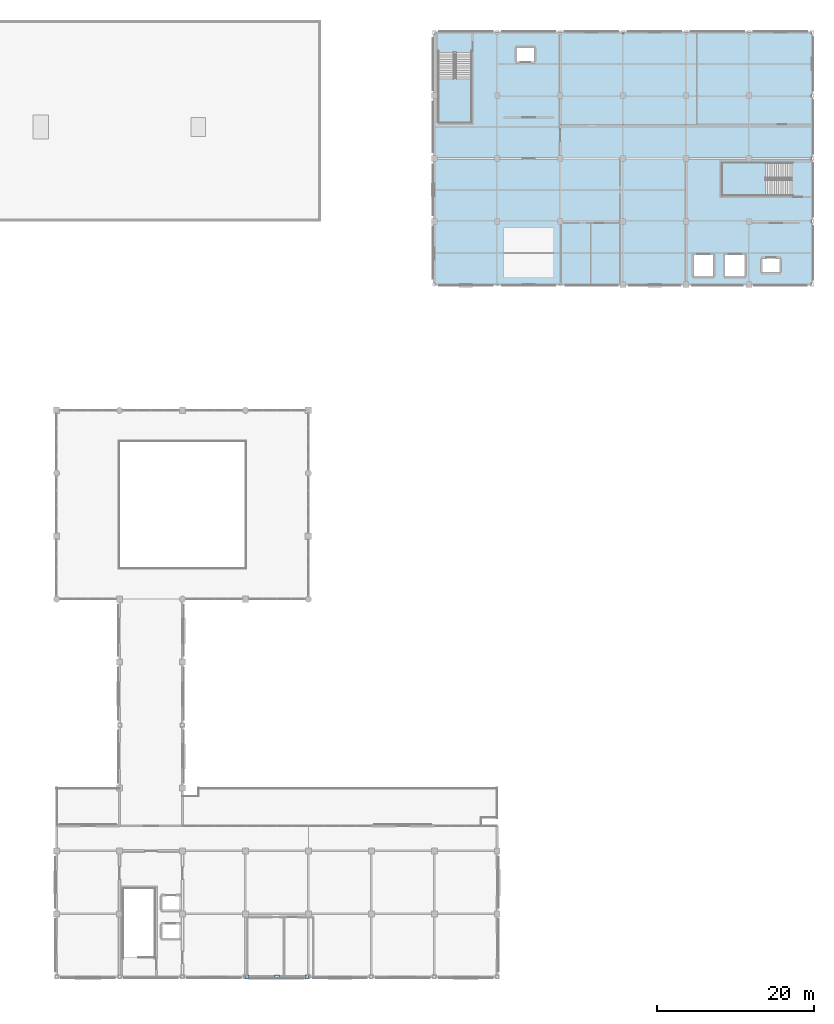
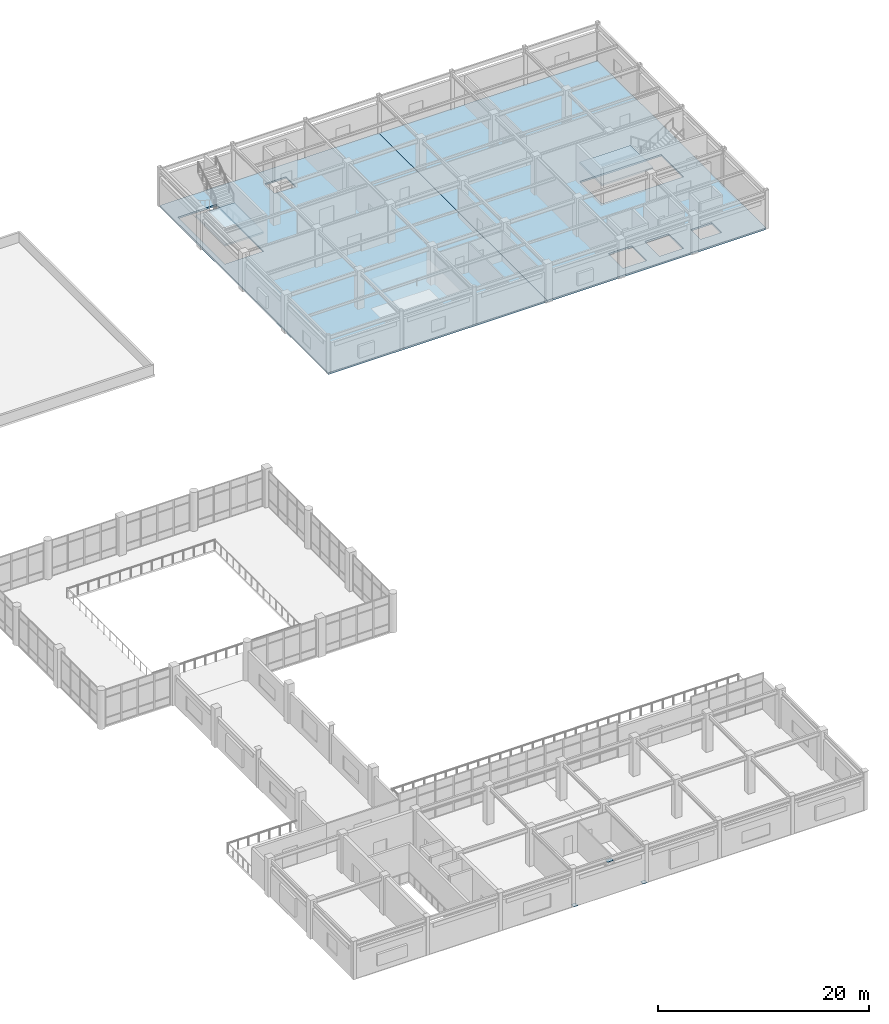
# One storey, part 30 of 42: 4 slabs, 3 plates, 2 elements without a shape of their own.
"""IFC4 building model written with IfcOpenShell, lengths in metres."""

import ifcopenshell
import ifcopenshell.guid

model = None  # the IFC model being written
_history = None  # IfcOwnerHistory: only IFC2X3 demands one
_inside = {}  # id of a spatial element -> (the spatial element, [elements in it])
_under = {}  # id of a project, library or spatial element -> (it, [spatial elements below it])
_declared = {}  # id of a project -> (the project, [libraries it declares])
_typed = {}  # id of a type object -> (the type object, [elements of that type])
_made_of = {}  # id of a material, layer set ... -> (it, [elements and type objects made of it])


def new_model(schema):
    """Start an empty IFC model of exactly this schema.

    Asked for "IFC4X3", IfcOpenShell would pick the latest addendum, in which some entities
    have other attributes; the version numbers below select the first issue.
    IFC2X3 requires an IfcOwnerHistory on every rooted entity: one is made here for all.
    """
    global model, _history
    if schema == "IFC4X3":
        model = ifcopenshell.file(schema_version=(4, 3, 0, 0))
    else:
        model = ifcopenshell.file(schema=schema)
    _inside.clear()
    _under.clear()
    _declared.clear()
    _typed.clear()
    _made_of.clear()
    _history = None
    if model.schema == "IFC2X3":
        org = make("IfcOrganization", Name="unknown")
        user = make(
            "IfcPersonAndOrganization",
            ThePerson=make("IfcPerson", FamilyName="unknown"),
            TheOrganization=org,
        )
        app = make(
            "IfcApplication",
            ApplicationDeveloper=org,
            Version="unknown",
            ApplicationFullName="unknown",
            ApplicationIdentifier="unknown",
        )
        _history = make(
            "IfcOwnerHistory",
            OwningUser=user,
            OwningApplication=app,
            ChangeAction="ADDED",
            CreationDate=0,
        )
    return model


def make(cls, **values):
    """One entity of the class cls with the attributes given. An attribute that is None is left unset."""
    return model.create_entity(
        cls, **{name: value for name, value in values.items() if value is not None}
    )


def rooted(cls, **values):
    """An entity with a GlobalId (a new one), such as an element, a storey or a relation."""
    return make(cls, GlobalId=ifcopenshell.guid.new(), OwnerHistory=_history, **values)


def si_unit(unit_type, name, prefix=None):
    """IfcSIUnit, for example si_unit("LENGTHUNIT", "METRE", prefix="MILLI")."""
    return make("IfcSIUnit", UnitType=unit_type, Prefix=prefix, Name=name)


def assignment(units):
    """IfcUnitAssignment: the units of a project."""
    return None if units is None else make("IfcUnitAssignment", Units=units)


def point(xyz):
    """IfcCartesianPoint."""
    return None if xyz is None else make("IfcCartesianPoint", Coordinates=xyz)


def direction(xyz):
    """IfcDirection."""
    return None if xyz is None else make("IfcDirection", DirectionRatios=xyz)


def frame(location, z_axis=None, x_axis=None):
    """IfcAxis2Placement3D, a coordinate frame: its origin and axes. An axis left out is left unset."""
    return make(
        "IfcAxis2Placement3D",
        Location=point(location),
        Axis=direction(z_axis),
        RefDirection=direction(x_axis),
    )


def frame_2d(location, x_axis=None):
    """IfcAxis2Placement2D, a coordinate frame in the plane: its origin and x axis."""
    return make(
        "IfcAxis2Placement2D", Location=point(location), RefDirection=direction(x_axis)
    )


def origin():
    """The frame at (0, 0, 0) with its axes left unset."""
    return frame((0.0, 0.0, 0.0))


def origin_2d():
    """The frame at (0, 0) in the plane with its x axis left unset."""
    return frame_2d((0.0, 0.0))


def place(relative_to, where):
    """IfcLocalPlacement: puts the frame where relative to a parent placement (None: the world)."""
    return make(
        "IfcLocalPlacement", PlacementRelTo=relative_to, RelativePlacement=where
    )


def context(
    kind, dimensions, precision=None, world=None, true_north=None, identifier=None
):
    """IfcGeometricRepresentationContext, for example the 3D "Model" context."""
    return make(
        "IfcGeometricRepresentationContext",
        ContextIdentifier=identifier,
        ContextType=kind,
        CoordinateSpaceDimension=dimensions,
        Precision=precision,
        WorldCoordinateSystem=world,
        TrueNorth=true_north,
    )


def subcontext(parent, identifier, kind, view, scale=None):
    """IfcGeometricRepresentationSubContext, for example "Body" below "Model"."""
    return make(
        "IfcGeometricRepresentationSubContext",
        ContextIdentifier=identifier,
        ContextType=kind,
        ParentContext=parent,
        TargetScale=scale,
        TargetView=view,
    )


def project(units=None, contexts=None):
    """IfcProject with its units and contexts."""
    return rooted(
        "IfcProject",
        Name="project",
        RepresentationContexts=contexts,
        UnitsInContext=assignment(units),
    )


def spatial(cls, under=None, at=None, **own):
    """A site, building, storey or space (cls), placed at a placement, below another one or the project."""
    s = rooted(cls, ObjectPlacement=at, **own)
    if under is not None:
        _under.setdefault(under.id(), (under, []))[1].append(s)
    return s


def polyline(points):
    """IfcPolyline through the points."""
    return make("IfcPolyline", Points=[point(p) for p in points])


def profile(cls, at=None, kind="AREA", **sizes):
    """A parametric profile (cls). Its sizes go by their IFC names, for example OverallWidth=200.0."""
    return make(cls, ProfileType=kind, Position=at, **sizes)


def rectangle(**sizes):
    """IfcRectangleProfileDef."""
    return profile("IfcRectangleProfileDef", **sizes)


def outline(outer, holes=None, kind="AREA"):
    """IfcArbitraryClosedProfileDef: a profile drawn as a closed curve; with holes, ...WithVoids."""
    if holes is None:
        return make("IfcArbitraryClosedProfileDef", ProfileType=kind, OuterCurve=outer)
    return make(
        "IfcArbitraryProfileDefWithVoids",
        ProfileType=kind,
        OuterCurve=outer,
        InnerCurves=holes,
    )


def extrude(swept, where, along, depth):
    """IfcExtrudedAreaSolid: the profile swept, set in the frame where, extruded along a direction by depth."""
    return make(
        "IfcExtrudedAreaSolid",
        SweptArea=swept,
        Position=where,
        ExtrudedDirection=direction(along),
        Depth=depth,
    )


def shape(context_of_items, identifier, shape_type, items):
    """IfcShapeRepresentation: the items that make up one representation, for example the "Body"."""
    return make(
        "IfcShapeRepresentation",
        ContextOfItems=context_of_items,
        RepresentationIdentifier=identifier,
        RepresentationType=shape_type,
        Items=items,
    )


def material(Name=None, Category=None):
    """IfcMaterial."""
    return make("IfcMaterial", Name=Name, Category=Category)


def layer(
    of_material, thickness, ventilated=None, Name=None, Category=None, Priority=None
):
    """IfcMaterialLayer: one layer of a wall or slab, of a material (None: an air gap)."""
    return make(
        "IfcMaterialLayer",
        Material=of_material,
        LayerThickness=thickness,
        IsVentilated=ventilated,
        Name=Name,
        Category=Category,
        Priority=Priority,
    )


def layer_set(layers, Name=None):
    """IfcMaterialLayerSet."""
    return make("IfcMaterialLayerSet", MaterialLayers=layers, LayerSetName=Name)


def made_of(thing, what):
    """Note that an element or type object is made of a material, layer set ...; save() writes the relation."""
    if what is not None:
        _made_of.setdefault(what.id(), (what, []))[1].append(thing)
    return thing


def type_object(cls, material=None, **own):
    """A type object (cls), such as IfcWallType, which elements share."""
    return made_of(rooted(cls, **own), material)


def element(
    cls,
    number,
    at=None,
    inside=None,
    cuts=None,
    type_object=None,
    material=None,
    context=None,
    identifier="Body",
    shape_type=None,
    held_by="IfcProductDefinitionShape",
    body=None,
    shapes=None,
    **own,
):
    """One element of the class cls, such as IfcWall. Its Tag is "e" and its number.

    at: its placement. inside: the storey or other place that contains it. cuts: it is an
    opening in that element (IfcRelVoidsElement). A single representation is given by context,
    identifier, shape_type and body (its items); several are given by shapes. held_by: the class
    of the entity that holds the representations. save() writes the other relations.
    """
    e = rooted(cls, Tag="e%d" % number, ObjectPlacement=at, **own)
    if body is not None:
        shapes = [shape(context, identifier, shape_type, body)]
    if shapes is not None:
        e.Representation = make(held_by, Representations=shapes)
    if inside is not None:
        _inside.setdefault(inside.id(), (inside, []))[1].append(e)
    if cuts is not None:
        rooted(
            "IfcRelVoidsElement", RelatingBuildingElement=cuts, RelatedOpeningElement=e
        )
    if type_object is not None:
        _typed.setdefault(type_object.id(), (type_object, []))[1].append(e)
    return made_of(e, material)


def aggregate(whole, parts):
    """IfcRelAggregates: a whole, such as a stair, and the parts it consists of."""
    return rooted("IfcRelAggregates", RelatingObject=whole, RelatedObjects=parts)


def save(model, path):
    """Write the relations noted so far, then the file.

    IfcRelAggregates (storeys below a building ...), IfcRelContainedInSpatialStructure (elements
    in a storey), IfcRelDefinesByType, IfcRelAssociatesMaterial and IfcRelDeclares: one each for
    every whole, place, type object, material and project.
    """
    for whole, parts in _under.values():
        aggregate(whole, parts)
    for where, things in _inside.values():
        rooted(
            "IfcRelContainedInSpatialStructure",
            RelatedElements=things,
            RelatingStructure=where,
        )
    for kind, things in _typed.values():
        rooted("IfcRelDefinesByType", RelatedObjects=things, RelatingType=kind)
    for what, things in _made_of.values():
        rooted("IfcRelAssociatesMaterial", RelatedObjects=things, RelatingMaterial=what)
    for by, libraries in _declared.values():
        rooted("IfcRelDeclares", RelatingContext=by, RelatedDefinitions=libraries)
    model.write(path)


model = new_model("IFC4")

# Units and contexts
model_context = context("Model", 3, precision=1e-05, world=origin(), true_north=direction((0.0, 1.0)))
body_context = subcontext(model_context, "Body", "Model", "MODEL_VIEW")
ifc_project = project(units=[si_unit("LENGTHUNIT", "METRE"), si_unit("AREAUNIT", "SQUARE_METRE"), si_unit("VOLUMEUNIT", "CUBIC_METRE"), si_unit("PLANEANGLEUNIT", "RADIAN"), si_unit("MASSUNIT", "GRAM", prefix="KILO")], contexts=[model_context])

# Site, building, storey
site_placement = place(None, origin())
site = spatial("IfcSite", under=ifc_project, at=site_placement, CompositionType="ELEMENT")
building_placement = place(site_placement, origin())
building = spatial("IfcBuilding", under=site, at=building_placement, Name="Solmirada Galleria", CompositionType="ELEMENT")
storey_placement = place(building_placement, frame((0.0, 0.0, 28.39990234375)))
storey = spatial("IfcBuildingStorey", under=building, at=storey_placement, Name="L06", CompositionType="ELEMENT", Elevation=28.39990234375)

# Plates
ifc_material_1 = material(Name="Steel S355 / ASTM A572 Grade 50", Category="steel")
ifc_layer_1 = layer(ifc_material_1, 0.028076171875)
ifc_layer_set_1 = layer_set([ifc_layer_1], Name="Steel S355 / ASTM A572 Grade 50")
plate_type_1 = type_object("IfcPlateType", Name="PLT-NODE-02", PredefinedType="SHEET", material=ifc_layer_set_1)
for number, where, z_axis, x_axis, name in (
    (1, (104.202880859375, 0.0, 0.005859375), (0.0, 0.0, 1.0), (1.0, 0.0, 0.0), "Braced frame gusset plate CBF-S1 L06 LA"),
    (2, (111.797119140625, 0.0, 0.005859375), (0.0, 0.0, 1.0), (1.0, 0.0, 0.0), "Braced frame gusset plate CBF-S1 L06 RA"),
):
    element("IfcPlate", number, at=place(storey_placement, frame(where, z_axis=z_axis, x_axis=x_axis)), inside=storey, type_object=plate_type_1, Name=name, PredefinedType="SHEET", context=body_context, shape_type="SweptSolid", body=[
        extrude(rectangle(XDim=0.47998046875, YDim=0.47998046875, at=origin_2d()), origin(), (0.0, 0.0, 1.0), 0.028076171875),
    ])
ifc_layer_2 = layer(ifc_material_1, 0.035888671875)
ifc_layer_set_2 = layer_set([ifc_layer_2], Name="Steel S355 / ASTM A572 Grade 50")
plate_type_2 = type_object("IfcPlateType", Name="PLT-NODE-04", PredefinedType="SHEET", material=ifc_layer_set_2)
plate_placement = place(storey_placement, frame((108.0, 0.0, 3.8623046875), z_axis=(0.0, 0.0, 1.0), x_axis=(1.0, 0.0, 0.0)))
element("IfcPlate", 3, at=plate_placement, inside=storey, type_object=plate_type_2, Name="Braced frame gusset plate CBF-S1 L06 AP", PredefinedType="SHEET", context=body_context, shape_type="SweptSolid", body=[
    extrude(rectangle(XDim=0.64990234375, YDim=0.449951171875, at=origin_2d()), origin(), (0.0, 0.0, 1.0), 0.035888671875),
])

# Slabs
ifc_material_2 = material(Name="Concrete C35/45", Category="concrete")
ifc_layer_3 = layer(ifc_material_2, 0.199951171875)
ifc_layer_set_3 = layer_set([ifc_layer_3], Name="Concrete C35/45")
slab_type_1 = type_object("IfcSlabType", Name="SLB-FLOOR-200", PredefinedType="FLOOR", material=ifc_layer_set_3)
slab_1_placement = place(storey_placement, frame((0.0, 0.0, -0.199951171875)))
element("IfcSlab", 4, at=slab_1_placement, inside=storey, type_object=slab_type_1, Name="Slab L06-NE-W", PredefinedType="FLOOR", context=body_context, shape_type="SweptSolid", body=[
    extrude(outline(polyline([(128.0, 88.0), (152.0, 88.0), (152.0, 120.0), (128.0, 120.0), (128.0, 88.0)]), holes=[polyline([(128.5, 108.5), (132.75, 108.5), (132.75, 117.449951171875), (128.5, 117.449951171875), (128.5, 108.5)]), polyline([(138.449951171875, 116.27490234375), (140.75, 116.27490234375), (140.75, 118.125), (138.449951171875, 118.125), (138.449951171875, 116.27490234375)])]), origin(), (0.0, 0.0, 1.0), 0.199951171875),
])
slab_2_placement = place(storey_placement, frame((0.0, 0.0, -0.199951171875)))
element("IfcSlab", 5, at=slab_2_placement, inside=storey, type_object=slab_type_1, Name="Slab L06-NE-E", PredefinedType="FLOOR", context=body_context, shape_type="SweptSolid", body=[
    extrude(outline(polyline([(152.0, 88.0), (176.0, 88.0), (176.0, 120.0), (152.0, 120.0), (152.0, 88.0)]), holes=[polyline([(164.5, 99.25), (173.449951171875, 99.25), (173.449951171875, 103.5), (164.5, 103.5), (164.5, 99.25)]), polyline([(169.64990234375, 89.47509765625), (171.949951171875, 89.47509765625), (171.949951171875, 91.324951171875), (169.64990234375, 91.324951171875), (169.64990234375, 89.47509765625)]), polyline([(164.89990234375, 89.0), (167.5, 89.0), (167.5, 91.800048828125), (164.89990234375, 91.800048828125), (164.89990234375, 89.0)]), polyline([(160.89990234375, 89.0), (163.5, 89.0), (163.5, 91.800048828125), (160.89990234375, 91.800048828125), (160.89990234375, 89.0)])]), origin(), (0.0, 0.0, 1.0), 0.199951171875),
])

# Stair, slab
stair_type = type_object("IfcStairType", Name="STR-DOG-205-H45", PredefinedType="HALF_TURN_STAIR", material=ifc_material_2)
stair_1_placement = place(storey_placement, origin())
stair_1 = element("IfcStair", 6, at=stair_1_placement, inside=storey, type_object=stair_type, Name="L06 North Avenue High-Rise Core Exit Stair ST3", PredefinedType="HALF_TURN_STAIR")
ifc_layer_4 = layer(ifc_material_2, 0.199951171875)
ifc_layer_set_4 = layer_set([ifc_layer_4], Name="Concrete C35/45")
slab_type_2 = type_object("IfcSlabType", Name="SLB-LAND-200", PredefinedType="LANDING", material=ifc_layer_set_4)
slab_3_placement = place(storey_placement, frame((0.0, 0.0, 2.050048828125)))
slab_3 = element("IfcSlab", 7, at=slab_3_placement, type_object=slab_type_2, Name="ST3 landing 1", PredefinedType="LANDING", context=body_context, shape_type="SweptSolid", body=[
    extrude(outline(polyline([(128.5, 114.090087890625), (128.5, 108.5), (132.75, 108.5), (132.75, 114.090087890625), (128.5, 114.090087890625)])), origin(), (0.0, 0.0, 1.0), 0.199951171875),
])
aggregate(stair_1, [slab_3])

stair_2_placement = place(storey_placement, origin())
stair_2 = element("IfcStair", 8, at=stair_2_placement, inside=storey, type_object=stair_type, Name="L06 East Avenue High-Rise and Freight Core Exit Stair ST4", PredefinedType="HALF_TURN_STAIR")
slab_4_placement = place(storey_placement, frame((0.0, 0.0, 2.050048828125)))
slab_4 = element("IfcSlab", 9, at=slab_4_placement, type_object=slab_type_2, Name="ST4 landing 1", PredefinedType="LANDING", context=body_context, shape_type="SweptSolid", body=[
    extrude(outline(polyline([(170.090087890625, 103.5), (164.5, 103.5), (164.5, 99.25), (170.090087890625, 99.25), (170.090087890625, 103.5)])), origin(), (0.0, 0.0, 1.0), 0.199951171875),
])
aggregate(stair_2, [slab_4])

save(model, "model.ifc")
